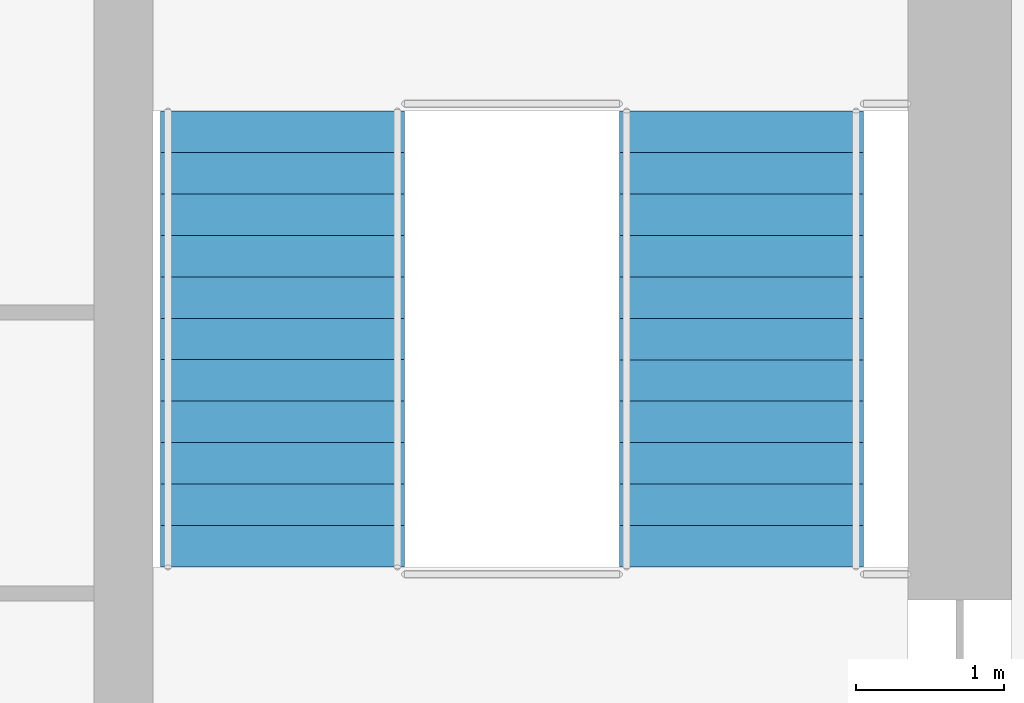
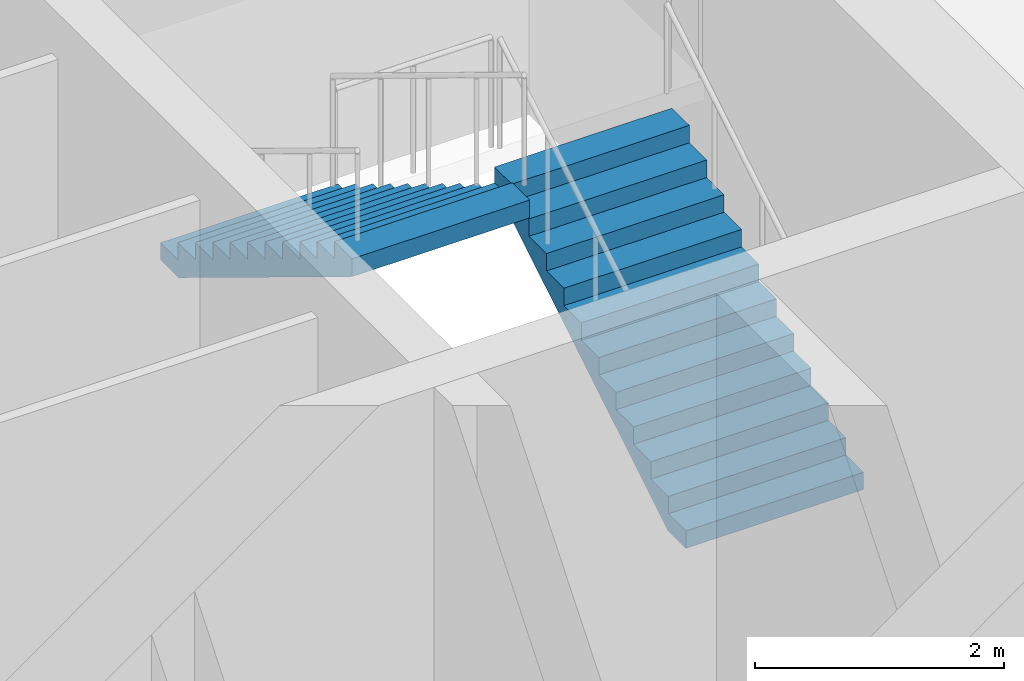
# One storey, part 7 of 14: 2 stair flights, 1 element without a shape of its own.
"""IFC4 building model written with IfcOpenShell, lengths in metres."""

from ifc_helpers import new_model, si_unit, direction, frame, origin, place, context, subcontext, project, spatial, polyline, outline, extrude, material, type_object, element, aggregate, save


model = new_model("IFC4")

# Units and contexts
model_context = context("Model", 3, precision=1e-05, world=origin(), true_north=direction((0.0, 1.0)))
body_context = subcontext(model_context, "Body", "Model", "MODEL_VIEW")
ifc_project = project(units=[si_unit("LENGTHUNIT", "METRE"), si_unit("AREAUNIT", "SQUARE_METRE"), si_unit("VOLUMEUNIT", "CUBIC_METRE"), si_unit("PLANEANGLEUNIT", "RADIAN"), si_unit("MASSUNIT", "GRAM", prefix="KILO")], contexts=[model_context])

# Site, building, storey
site_placement = place(None, origin())
site = spatial("IfcSite", under=ifc_project, at=site_placement, CompositionType="ELEMENT")
building_placement = place(site_placement, origin())
building = spatial("IfcBuilding", under=site, at=building_placement, Name="Corbel Stack Research Tower", CompositionType="ELEMENT")
storey_placement = place(building_placement, frame((0.0, 0.0, 270.39990234375)))
storey = spatial("IfcBuildingStorey", under=building, at=storey_placement, Name="L61", CompositionType="ELEMENT", Elevation=270.39990234375)

# Stair, stair flights
ifc_material_1 = material(Name="Concrete C40/50", Category="concrete")
stair_type = type_object("IfcStairType", Name="Exit stair 24 risers", PredefinedType="HALF_TURN_STAIR", material=ifc_material_1)
stair_placement = place(storey_placement, origin())
stair = element("IfcStair", 1, at=stair_placement, inside=storey, type_object=stair_type, Name="L61 Exit stair ST-E2", PredefinedType="HALF_TURN_STAIR")
ifc_material_2 = material(Name="Concrete C40/50", Category="concrete")
stair_flight_type = type_object("IfcStairFlightType", Name="Stair flight 12 risers", PredefinedType="STRAIGHT", material=ifc_material_2)
stair_flight_1_placement = place(storey_placement, frame((16.175048828125, 11.89990234375, 0.0), z_axis=(0.0, 0.0, 1.0), x_axis=(0.0, 1.0, 0.0)))
stair_flight_1 = element("IfcStairFlight", 2, at=stair_flight_1_placement, type_object=stair_flight_type, Name="ST-E2 flight 1", NumberOfRisers=12, NumberOfTreads=11, PredefinedType="STRAIGHT", RiserHeight=0.170833333, TreadLength=0.28, context=body_context, shape_type="SweptSolid", body=[
    extrude(outline(polyline([(0.0, 0.0), (0.0, 0.1708984375), (0.280029296875, 0.1708984375), (0.280029296875, 0.341552734375), (0.56005859375, 0.341552734375), (0.56005859375, 0.512451171875), (0.840087890625, 0.512451171875), (0.840087890625, 0.683349609375), (1.1201171875, 0.683349609375), (1.1201171875, 0.854248046875), (1.39990234375, 0.854248046875), (1.39990234375, 1.02490234375), (1.679931640625, 1.02490234375), (1.679931640625, 1.19580078125), (1.9599609375, 1.19580078125), (1.9599609375, 1.36669921875), (2.239990234375, 1.36669921875), (2.239990234375, 1.53759765625), (2.52001953125, 1.53759765625), (2.52001953125, 1.708251953125), (2.800048828125, 1.708251953125), (2.800048828125, 1.879150390625), (3.080078125, 1.879150390625), (3.080078125, 2.050048828125), (3.080078125, 1.70361328125), (0.287841796875, 0.0), (0.0, 0.0)])), frame((0.0, 0.824951171875, 0.0), z_axis=(0.0, -1.0, 0.0), x_axis=(1.0, 0.0, 0.0)), (0.0, 0.0, 1.0), 1.64990234375),
])
stair_flight_2_placement = place(storey_placement, frame((13.074951171875, 14.97998046875, 2.050048828125), z_axis=(0.0, 0.0, 1.0), x_axis=(0.0, -1.0, 0.0)))
stair_flight_2 = element("IfcStairFlight", 3, at=stair_flight_2_placement, type_object=stair_flight_type, Name="ST-E2 flight 2", NumberOfRisers=12, NumberOfTreads=11, PredefinedType="STRAIGHT", RiserHeight=0.170833333, TreadLength=0.28, context=body_context, shape_type="SweptSolid", body=[
    extrude(outline(polyline([(0.0, 0.0), (0.0, 0.1708984375), (0.280029296875, 0.1708984375), (0.280029296875, 0.341552734375), (0.56005859375, 0.341552734375), (0.56005859375, 0.512451171875), (0.840087890625, 0.512451171875), (0.840087890625, 0.683349609375), (1.1201171875, 0.683349609375), (1.1201171875, 0.854248046875), (1.39990234375, 0.854248046875), (1.39990234375, 1.02490234375), (1.679931640625, 1.02490234375), (1.679931640625, 1.19580078125), (1.9599609375, 1.19580078125), (1.9599609375, 1.36669921875), (2.239990234375, 1.36669921875), (2.239990234375, 1.53759765625), (2.52001953125, 1.53759765625), (2.52001953125, 1.708251953125), (2.800048828125, 1.708251953125), (2.800048828125, 1.879150390625), (3.080078125, 1.879150390625), (3.080078125, 2.050048828125), (3.080078125, 1.70361328125), (0.287841796875, 0.0), (0.0, 0.0)])), frame((0.0, 0.824951171875, 0.0), z_axis=(0.0, -1.0, 0.0), x_axis=(1.0, 0.0, 0.0)), (0.0, 0.0, 1.0), 1.64990234375),
])
aggregate(stair, [stair_flight_1, stair_flight_2])

save(model, "model.ifc")
